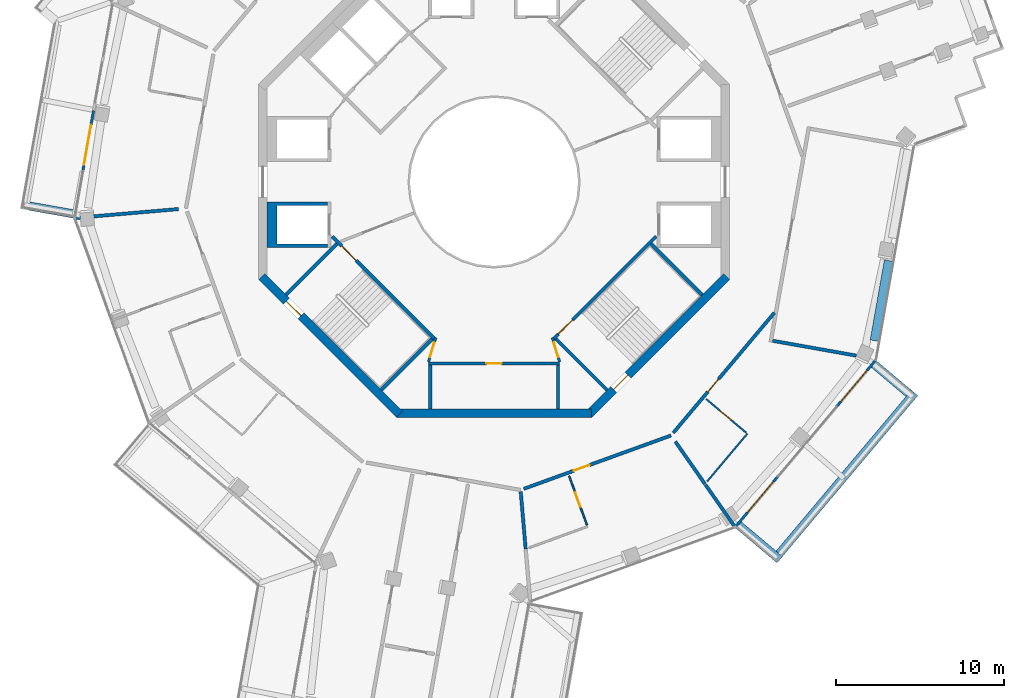
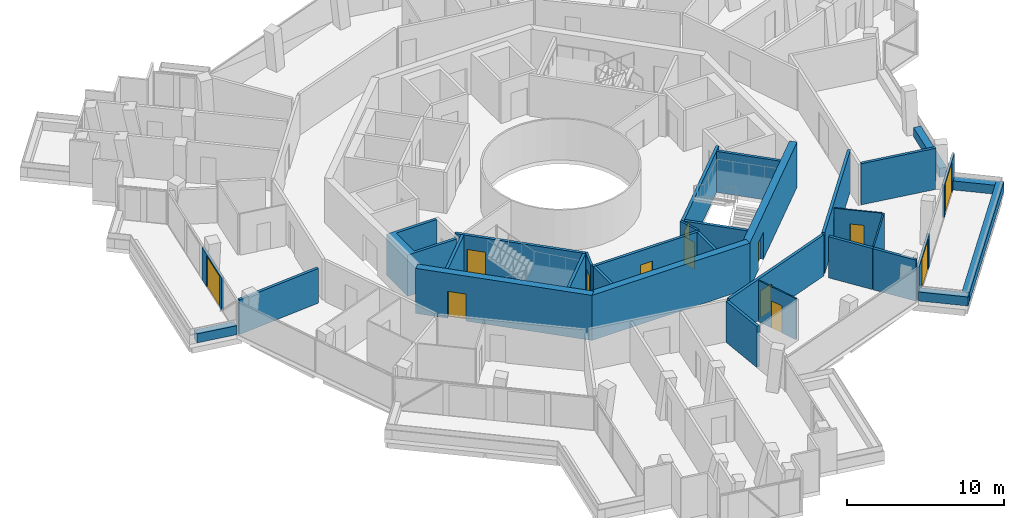
# One storey, part 15 of 22: 33 walls, 14 doors, 14 openings.
"""IFC4 building model written with IfcOpenShell, lengths in metres."""

from ifc_helpers import new_model, si_unit, direction, frame, frame_2d, origin, place, context, subcontext, project, spatial, polyline, rectangle, outline, extrude, material, layer, layer_set, type_object, element, fill, save


model = new_model("IFC4")

# Units and contexts
model_context = context("Model", 3, precision=1e-05, world=origin(), true_north=direction((0.0, 1.0)))
body_context = subcontext(model_context, "Body", "Model", "MODEL_VIEW")
ifc_project = project(units=[si_unit("LENGTHUNIT", "METRE"), si_unit("AREAUNIT", "SQUARE_METRE"), si_unit("VOLUMEUNIT", "CUBIC_METRE"), si_unit("PLANEANGLEUNIT", "RADIAN"), si_unit("MASSUNIT", "GRAM", prefix="KILO")], contexts=[model_context])

# Site, building, storey
site_placement = place(None, origin())
site = spatial("IfcSite", under=ifc_project, at=site_placement, CompositionType="ELEMENT")
building_placement = place(site_placement, origin())
building = spatial("IfcBuilding", under=site, at=building_placement, Name="Verdalira Terraces Hotel", CompositionType="ELEMENT")
storey_placement = place(building_placement, frame((0.0, 0.0, 237.5)))
storey = spatial("IfcBuildingStorey", under=building, at=storey_placement, Name="L58", CompositionType="ELEMENT", Elevation=237.5)

# Walls
ifc_material_1 = material(Name="Concrete C40", Category="concrete")
ifc_layer_1 = layer(ifc_material_1, 0.5)
ifc_layer_set_1 = layer_set([ifc_layer_1], Name="Balcony planter trough with tree")
wall_type_1 = type_object("IfcWallType", Name="Balcony planter trough with tree", PredefinedType="SOLIDWALL", material=ifc_layer_set_1)
wall_1_placement = place(storey_placement, frame((-27.635986, -1.435303, 0.0), z_axis=(0.0, 0.0, 1.0), x_axis=(0.984577054, -0.174951491, 0.0)))
element("IfcWall", 1, at=wall_1_placement, inside=storey, type_object=wall_type_1, Name="Balcony planter", PredefinedType="SOLIDWALL", context=body_context, shape_type="SweptSolid", body=[
    extrude(rectangle(XDim=2.69873, YDim=0.5, at=frame_2d((1.349365, 0.0))), origin(), (0.0, 0.0, 1.0), 0.699951),
])
wall_2_placement = place(storey_placement, frame((14.537842, -20.401611, 0.0), z_axis=(0.0, 0.0, 1.0), x_axis=(0.765134779, -0.64387015, 0.0)))
element("IfcWall", 2, at=wall_2_placement, inside=storey, type_object=wall_type_1, Name="Balcony planter", PredefinedType="SOLIDWALL", context=body_context, shape_type="SweptSolid", body=[
    extrude(rectangle(XDim=3.199219, YDim=0.5, at=frame_2d((1.599609, 0.0))), origin(), (0.0, 0.0, 1.0), 0.699951),
])
wall_3_placement = place(storey_placement, frame((16.955322, -22.109131, 0.0), z_axis=(0.0, 0.0, 1.0), x_axis=(0.643856026, 0.765146665, 0.0)))
element("IfcWall", 3, at=wall_3_placement, inside=storey, type_object=wall_type_1, Name="Balcony planter", PredefinedType="SOLIDWALL", context=body_context, shape_type="SweptSolid", body=[
    extrude(rectangle(XDim=12.499756, YDim=0.5, at=frame_2d((6.25, 0.0))), origin(), (0.0, 0.0, 1.0), 0.699951),
])
wall_4_placement = place(storey_placement, frame((24.651123, -12.575195, 0.0), z_axis=(0.0, 0.0, 1.0), x_axis=(-0.765150401, 0.643851585, 0.0)))
element("IfcWall", 4, at=wall_4_placement, inside=storey, type_object=wall_type_1, Name="Balcony planter", PredefinedType="SOLIDWALL", context=body_context, shape_type="SweptSolid", body=[
    extrude(rectangle(XDim=2.698975, YDim=0.5, at=frame_2d((1.349609, 0.0))), origin(), (0.0, 0.0, 1.0), 0.699951),
])

# Wall, opening, door
ifc_material_2 = material(Name="Moisture-resistant gypsum board partition")
ifc_layer_2 = layer(ifc_material_2, 0.10009765625)
ifc_layer_set_2 = layer_set([ifc_layer_2], Name="Bathroom partition 100 mm")
wall_type_2 = type_object("IfcWallType", Name="Bathroom partition 100 mm", PredefinedType="PARTITIONING", material=ifc_layer_set_2)
wall_5_placement = place(storey_placement, frame((5.521484, -20.397461, 0.0), z_axis=(0.0, 0.0, 1.0), x_axis=(-0.340693169, 0.940174539, 0.0)))
wall_5 = element("IfcWall", 5, at=wall_5_placement, inside=storey, type_object=wall_type_2, Name="Bathroom partition", PredefinedType="PARTITIONING", context=body_context, shape_type="SweptSolid", body=[
    extrude(rectangle(XDim=3.100098, YDim=0.100098, at=frame_2d((1.550049, 0.0))), origin(), (0.0, 0.0, 1.0), 3.189941),
])
opening_1_placement = place(wall_5_placement, frame((1.149902, 0.0, 0.0)))
opening_1 = element("IfcOpeningElement", 6, at=opening_1_placement, cuts=wall_5, Name="Opening L58-116", PredefinedType="OPENING", context=body_context, shape_type="SweptSolid", body=[
    extrude(rectangle(XDim=0.899902, YDim=2.100098, at=frame_2d((0.449951, 1.050049))), frame((0.0, 0.060059, 0.0), z_axis=(0.0, -1.0, 0.0), x_axis=(1.0, 0.0, 0.0)), (0.0, 0.0, 1.0), 0.120117),
])
ifc_material_3 = material(Name="Timber door", Category="wood")
door_type_1 = type_object("IfcDoorType", Name="Bathroom door 900 x 2100", OperationType="NOTDEFINED", PredefinedType="DOOR", material=ifc_material_3)
door_1_placement = place(opening_1_placement, origin())
door_1 = element("IfcDoor", 7, at=door_1_placement, inside=storey, type_object=door_type_1, Name="Bathroom door 5806", OperationType="SINGLE_SWING_LEFT", OverallHeight=2.10009765625, OverallWidth=0.89990234375, PredefinedType="DOOR", context=body_context, shape_type="SweptSolid", body=[
    extrude(rectangle(XDim=0.899902, YDim=2.100098, at=frame_2d((0.449951, 1.050049))), frame((0.0, 0.024902, 0.0), z_axis=(0.0, -1.0, 0.0), x_axis=(1.0, 0.0, 0.0)), (0.0, 0.0, 1.0), 0.050049),
])
fill(opening_1, door_1)

wall_6_placement = place(storey_placement, frame((14.980713, -14.903809, 0.0), z_axis=(0.0, 0.0, 1.0), x_axis=(-0.765178668, 0.643817992, 0.0)))
wall_6 = element("IfcWall", 8, at=wall_6_placement, inside=storey, type_object=wall_type_2, Name="Bathroom partition", PredefinedType="PARTITIONING", context=body_context, shape_type="SweptSolid", body=[
    extrude(rectangle(XDim=3.100098, YDim=0.100098, at=frame_2d((1.550049, 0.0))), origin(), (0.0, 0.0, 1.0), 3.189941),
])
opening_2_placement = place(wall_6_placement, frame((1.149902, 0.0, 0.0)))
opening_2 = element("IfcOpeningElement", 9, at=opening_2_placement, cuts=wall_6, Name="Opening L58-118", PredefinedType="OPENING", context=body_context, shape_type="SweptSolid", body=[
    extrude(rectangle(XDim=0.899902, YDim=2.100098, at=frame_2d((0.449951, 1.050049))), frame((0.0, 0.060059, 0.0), z_axis=(0.0, -1.0, 0.0), x_axis=(1.0, 0.0, 0.0)), (0.0, 0.0, 1.0), 0.120117),
])
door_2_placement = place(opening_2_placement, origin())
door_2 = element("IfcDoor", 10, at=door_2_placement, inside=storey, type_object=door_type_1, Name="Bathroom door 5807", OperationType="SINGLE_SWING_LEFT", OverallHeight=2.10009765625, OverallWidth=0.89990234375, PredefinedType="DOOR", context=body_context, shape_type="SweptSolid", body=[
    extrude(rectangle(XDim=0.899902, YDim=2.100098, at=frame_2d((0.449951, 1.050049))), frame((0.0, 0.024902, 0.0), z_axis=(0.0, -1.0, 0.0), x_axis=(1.0, 0.0, 0.0)), (0.0, 0.0, 1.0), 0.050049),
])
fill(opening_2, door_2)

# Walls
wall_7_placement = place(storey_placement, frame((15.057129, -14.968262, 0.0), z_axis=(0.0, 0.0, 1.0), x_axis=(-0.643827179, -0.765170938, 0.0)))
element("IfcWall", 11, at=wall_7_placement, inside=storey, type_object=wall_type_2, Name="Bathroom partition", PredefinedType="PARTITIONING", context=body_context, shape_type="SweptSolid", body=[
    extrude(rectangle(XDim=3.704102, YDim=0.100098, at=frame_2d((1.852051, 0.0))), origin(), (0.0, 0.0, 1.0), 3.189941),
])
ifc_material_4 = material(Name="Concrete C50", Category="concrete")
ifc_layer_3 = layer(ifc_material_4, 0.199951171875)
ifc_layer_set_3 = layer_set([ifc_layer_3], Name="Core RC wall 200 C50")
wall_type_3 = type_object("IfcWallType", Name="Core RC wall 200 C50", PredefinedType="SOLIDWALL", material=ifc_layer_set_3)
wall_8_placement = place(storey_placement, origin())
element("IfcWall", 12, at=wall_8_placement, inside=storey, type_object=wall_type_3, Name="L58 shaft wall W2", PredefinedType="SOLIDWALL", context=body_context, shape_type="SweptSolid", body=[
    extrude(outline(polyline([(-13.5, -3.899902), (-13.5, -1.199951), (-9.899902, -1.199951), (-9.899902, -1.399902), (-12.899902, -1.399902), (-12.899902, -3.699951), (-9.899902, -3.699951), (-9.899902, -3.899902), (-13.5, -3.899902)])), origin(), (0.0, 0.0, 1.0), 3.189941),
])

# Wall, opening, door
wall_9_placement = place(storey_placement, frame((-3.899902, -10.800049, 0.0), z_axis=(0.0, 0.0, 1.0), x_axis=(1.0, 0.0, 0.0)))
wall_9 = element("IfcWall", 13, at=wall_9_placement, inside=storey, type_object=wall_type_3, Name="L58 store front wall", PredefinedType="SOLIDWALL", context=body_context, shape_type="SweptSolid", body=[
    extrude(rectangle(XDim=7.799805, YDim=0.199951, at=frame_2d((3.899902, 0.0))), origin(), (0.0, 0.0, 1.0), 3.189941),
])
opening_3_placement = place(wall_9_placement, frame((3.449951, 0.0, 0.0)))
opening_3 = element("IfcOpeningElement", 14, at=opening_3_placement, cuts=wall_9, Name="Opening L58-801", PredefinedType="OPENING", context=body_context, shape_type="SweptSolid", body=[
    extrude(rectangle(XDim=0.899902, YDim=2.100098, at=frame_2d((0.449951, 1.050049))), frame((0.0, 0.109863, 0.0), z_axis=(0.0, -1.0, 0.0), x_axis=(1.0, 0.0, 0.0)), (0.0, 0.0, 1.0), 0.219971),
])
ifc_material_5 = material(Name="Steel fire door", Category="steel")
door_type_2 = type_object("IfcDoorType", Name="Core room door 900 x 2100", OperationType="NOTDEFINED", PredefinedType="DOOR", material=ifc_material_5)
door_3_placement = place(opening_3_placement, origin())
door_3 = element("IfcDoor", 15, at=door_3_placement, inside=storey, type_object=door_type_2, Name="Store door L58 SS", OperationType="SINGLE_SWING_LEFT", OverallHeight=2.10009765625, OverallWidth=0.89990234375, PredefinedType="DOOR", context=body_context, shape_type="SweptSolid", body=[
    extrude(rectangle(XDim=0.899902, YDim=2.100098, at=frame_2d((0.449951, 1.050049))), frame((0.0, 0.024902, 0.0), z_axis=(0.0, -1.0, 0.0), x_axis=(1.0, 0.0, 0.0)), (0.0, 0.0, 1.0), 0.050049),
])
fill(opening_3, door_3)

# Walls
for number, where, z_axis, x_axis, name in (
    (16, (-3.800049, -10.899902, 0.0), (0.0, 0.0, 1.0), (0.0, -1.0, 0.0), "L58 store side wall"),
    (17, (3.800049, -10.899902, 0.0), (0.0, 0.0, 1.0), (0.0, -1.0, 0.0), "L58 store side wall"),
):
    element("IfcWall", number, at=place(storey_placement, frame(where, z_axis=z_axis, x_axis=x_axis)), inside=storey, type_object=wall_type_3, Name=name, PredefinedType="SOLIDWALL", context=body_context, shape_type="SweptSolid", body=[
        extrude(rectangle(XDim=2.600098, YDim=0.199951, at=frame_2d((1.300049, 0.0))), origin(), (0.0, 0.0, 1.0), 3.189941),
    ])

# Wall, opening, door
wall_10_placement = place(storey_placement, frame((-3.5354, -9.33374, 0.0), z_axis=(0.0, 0.0, 1.0), x_axis=(-0.707120946, 0.707092617, 0.0)))
wall_10 = element("IfcWall", 18, at=wall_10_placement, inside=storey, type_object=wall_type_3, Name="L58 stair ST2 front wall", PredefinedType="SOLIDWALL", context=body_context, shape_type="SweptSolid", body=[
    extrude(rectangle(XDim=8.61792, YDim=0.199951, at=frame_2d((4.309082, 0.0))), origin(), (0.0, 0.0, 1.0), 3.189941),
])
opening_4_placement = place(wall_10_placement, frame((6.600098, 0.0, 0.0)))
opening_4 = element("IfcOpeningElement", 19, at=opening_4_placement, cuts=wall_10, Name="Opening L58-811", PredefinedType="OPENING", context=body_context, shape_type="SweptSolid", body=[
    extrude(rectangle(XDim=1.199951, YDim=2.100098, at=frame_2d((0.600098, 1.050049))), frame((0.0, 0.109863, 0.0), z_axis=(0.0, -1.0, 0.0), x_axis=(1.0, 0.0, 0.0)), (0.0, 0.0, 1.0), 0.219971),
])
ifc_material_6 = material(Name="Steel fire door", Category="steel")
door_type_3 = type_object("IfcDoorType", Name="Stair door 1200 x 2100", OperationType="NOTDEFINED", PredefinedType="DOOR", material=ifc_material_6)
door_4_placement = place(opening_4_placement, origin())
door_4 = element("IfcDoor", 20, at=door_4_placement, inside=storey, type_object=door_type_3, Name="Stair door ST2 L58", OperationType="SINGLE_SWING_RIGHT", OverallHeight=2.10009765625, OverallWidth=1.199951171875, PredefinedType="DOOR", context=body_context, shape_type="SweptSolid", body=[
    extrude(rectangle(XDim=1.199951, YDim=2.100098, at=frame_2d((0.600098, 1.050049))), frame((0.0, 0.024902, 0.0), z_axis=(0.0, -1.0, 0.0), x_axis=(1.0, 0.0, 0.0)), (0.0, 0.0, 1.0), 0.050049),
])
fill(opening_4, door_4)

# Walls
for number, where, z_axis, x_axis, name in (
    (21, (-9.33374, -3.677002, 0.0), (0.0, 0.0, 1.0), (-0.707135168, -0.707078393, 0.0), "L58 stair ST2 end wall 1"),
    (22, (-3.677002, -9.33374, 0.0), (0.0, 0.0, 1.0), (-0.707078393, -0.707135168, 0.0), "L58 stair ST2 end wall 2"),
):
    element("IfcWall", number, at=place(storey_placement, frame(where, z_axis=z_axis, x_axis=x_axis)), inside=storey, type_object=wall_type_3, Name=name, PredefinedType="SOLIDWALL", context=body_context, shape_type="SweptSolid", body=[
        extrude(rectangle(XDim=4.300049, YDim=0.199951, at=frame_2d((2.149902, 0.0))), origin(), (0.0, 0.0, 1.0), 3.189941),
    ])

# Wall, opening, door
wall_11_placement = place(storey_placement, frame((9.629395, -3.23999, 0.0), z_axis=(0.0, 0.0, 1.0), x_axis=(-0.707120946, -0.707092617, 0.0)))
wall_11 = element("IfcWall", 23, at=wall_11_placement, inside=storey, type_object=wall_type_3, Name="L58 stair ST3 front wall", PredefinedType="SOLIDWALL", context=body_context, shape_type="SweptSolid", body=[
    extrude(rectangle(XDim=8.61792, YDim=0.199951, at=frame_2d((4.309082, 0.0))), origin(), (0.0, 0.0, 1.0), 3.189941),
])
opening_5_placement = place(wall_11_placement, frame((7.017822, 0.0, 0.0)))
opening_5 = element("IfcOpeningElement", 24, at=opening_5_placement, cuts=wall_11, Name="Opening L58-812", PredefinedType="OPENING", context=body_context, shape_type="SweptSolid", body=[
    extrude(rectangle(XDim=1.199951, YDim=2.100098, at=frame_2d((0.600098, 1.050049))), frame((0.0, 0.109863, 0.0), z_axis=(0.0, -1.0, 0.0), x_axis=(1.0, 0.0, 0.0)), (0.0, 0.0, 1.0), 0.219971),
])
door_5_placement = place(opening_5_placement, origin())
door_5 = element("IfcDoor", 25, at=door_5_placement, inside=storey, type_object=door_type_3, Name="Stair door ST3 L58", OperationType="SINGLE_SWING_RIGHT", OverallHeight=2.10009765625, OverallWidth=1.199951171875, PredefinedType="DOOR", context=body_context, shape_type="SweptSolid", body=[
    extrude(rectangle(XDim=1.199951, YDim=2.100098, at=frame_2d((0.600098, 1.050049))), frame((0.0, 0.024902, 0.0), z_axis=(0.0, -1.0, 0.0), x_axis=(1.0, 0.0, 0.0)), (0.0, 0.0, 1.0), 0.050049),
])
fill(opening_5, door_5)

# Walls
for number, where, z_axis, x_axis, name in (
    (26, (3.677002, -9.33374, 0.0), (0.0, 0.0, 1.0), (0.707078393, -0.707135168, 0.0), "L58 stair ST3 end wall 1"),
    (27, (9.33374, -3.677002, 0.0), (0.0, 0.0, 1.0), (0.707135168, -0.707078393, 0.0), "L58 stair ST3 end wall 2"),
):
    element("IfcWall", number, at=place(storey_placement, frame(where, z_axis=z_axis, x_axis=x_axis)), inside=storey, type_object=wall_type_3, Name=name, PredefinedType="SOLIDWALL", context=body_context, shape_type="SweptSolid", body=[
        extrude(rectangle(XDim=4.300049, YDim=0.199951, at=frame_2d((2.149902, 0.0))), origin(), (0.0, 0.0, 1.0), 3.189941),
    ])

# Wall, opening, door
ifc_material_7 = material(Name="Gypsum board partition")
ifc_layer_4 = layer(ifc_material_7, 0.14990234375)
ifc_layer_set_4 = layer_set([ifc_layer_4], Name="Core partition 150 mm")
wall_type_4 = type_object("IfcWallType", Name="Core partition 150 mm", PredefinedType="PARTITIONING", material=ifc_layer_set_4)
wall_12_placement = place(storey_placement, frame((-3.464844, -9.263184, 0.0), z_axis=(0.0, 0.0, 1.0), x_axis=(-0.289808785, -0.957084567, 0.0)))
wall_12 = element("IfcWall", 28, at=wall_12_placement, inside=storey, type_object=wall_type_4, Name="Room partition L58", PredefinedType="PARTITIONING", context=body_context, shape_type="SweptSolid", body=[
    extrude(rectangle(XDim=1.501221, YDim=0.149902, at=frame_2d((0.750488, 0.0))), origin(), (0.0, 0.0, 1.0), 3.189941),
])
opening_6_placement = place(wall_12_placement, frame((0.300781, 0.0, 0.0)))
opening_6 = element("IfcOpeningElement", 29, at=opening_6_placement, cuts=wall_12, Name="Opening L58-822", PredefinedType="OPENING", context=body_context, shape_type="SweptSolid", body=[
    extrude(rectangle(XDim=0.899902, YDim=2.100098, at=frame_2d((0.449951, 1.050049))), frame((0.0, 0.084961, 0.0), z_axis=(0.0, -1.0, 0.0), x_axis=(1.0, 0.0, 0.0)), (0.0, 0.0, 1.0), 0.169922),
])
door_6_placement = place(opening_6_placement, origin())
door_6 = element("IfcDoor", 30, at=door_6_placement, inside=storey, type_object=door_type_2, Name="Door L58 room5", OperationType="SINGLE_SWING_LEFT", OverallHeight=2.10009765625, OverallWidth=0.89990234375, PredefinedType="DOOR", context=body_context, shape_type="SweptSolid", body=[
    extrude(rectangle(XDim=0.899902, YDim=2.100098, at=frame_2d((0.449951, 1.050049))), frame((0.0, 0.024902, 0.0), z_axis=(0.0, -1.0, 0.0), x_axis=(1.0, 0.0, 0.0)), (0.0, 0.0, 1.0), 0.050049),
])
fill(opening_6, door_6)

wall_13_placement = place(storey_placement, frame((3.899902, -10.699951, 0.0), z_axis=(0.0, 0.0, 1.0), x_axis=(-0.289808785, 0.957084567, 0.0)))
wall_13 = element("IfcWall", 31, at=wall_13_placement, inside=storey, type_object=wall_type_4, Name="Room partition L58", PredefinedType="PARTITIONING", context=body_context, shape_type="SweptSolid", body=[
    extrude(rectangle(XDim=1.501221, YDim=0.149902, at=frame_2d((0.750488, 0.0))), origin(), (0.0, 0.0, 1.0), 3.189941),
])
opening_7_placement = place(wall_13_placement, frame((0.300781, 0.0, 0.0)))
opening_7 = element("IfcOpeningElement", 32, at=opening_7_placement, cuts=wall_13, Name="Opening L58-823", PredefinedType="OPENING", context=body_context, shape_type="SweptSolid", body=[
    extrude(rectangle(XDim=0.899902, YDim=2.100098, at=frame_2d((0.449951, 1.050049))), frame((0.0, 0.084961, 0.0), z_axis=(0.0, -1.0, 0.0), x_axis=(1.0, 0.0, 0.0)), (0.0, 0.0, 1.0), 0.169922),
])
door_7_placement = place(opening_7_placement, origin())
door_7 = element("IfcDoor", 33, at=door_7_placement, inside=storey, type_object=door_type_2, Name="Door L58 room6", OperationType="SINGLE_SWING_LEFT", OverallHeight=2.10009765625, OverallWidth=0.89990234375, PredefinedType="DOOR", context=body_context, shape_type="SweptSolid", body=[
    extrude(rectangle(XDim=0.899902, YDim=2.100098, at=frame_2d((0.449951, 1.050049))), frame((0.0, 0.024902, 0.0), z_axis=(0.0, -1.0, 0.0), x_axis=(1.0, 0.0, 0.0)), (0.0, 0.0, 1.0), 0.050049),
])
fill(opening_7, door_7)

ifc_material_8 = material(Name="Concrete C50", Category="concrete")
ifc_layer_5 = layer(ifc_material_8, 0.5)
ifc_layer_set_5 = layer_set([ifc_layer_5], Name="Core wall 500 C50")
wall_type_5 = type_object("IfcWallType", Name="Core wall 500 C50", PredefinedType="SHEAR", material=ifc_layer_set_5)
wall_14_placement = place(storey_placement, frame((-13.823242, -5.622314, 0.0), z_axis=(0.0, 0.0, 1.0), x_axis=(0.707106781, -0.707106781, 0.0)))
wall_14 = element("IfcWall", 34, at=wall_14_placement, inside=storey, type_object=wall_type_5, Name="Core wall CW-L58-6", PredefinedType="SHEAR", context=body_context, shape_type="SweptSolid", body=[
    extrude(rectangle(XDim=11.5979, YDim=0.5, at=frame_2d((5.798828, 0.0))), origin(), (0.0, 0.0, 1.0), 3.5),
])
opening_8_placement = place(wall_14_placement, frame((2.099121, 0.0, 0.0)))
opening_8 = element("IfcOpeningElement", 35, at=opening_8_placement, cuts=wall_14, Name="Opening L58-817", PredefinedType="OPENING", context=body_context, shape_type="SweptSolid", body=[
    extrude(rectangle(XDim=1.199951, YDim=2.100098, at=frame_2d((0.600098, 1.050049))), frame((0.0, 0.26001, 0.0), z_axis=(0.0, -1.0, 0.0), x_axis=(1.0, 0.0, 0.0)), (0.0, 0.0, 1.0), 0.52002),
])
door_8_placement = place(opening_8_placement, origin())
door_8 = element("IfcDoor", 36, at=door_8_placement, inside=storey, type_object=door_type_3, Name="Stair exit door ST2 L58", OperationType="SINGLE_SWING_LEFT", OverallHeight=2.10009765625, OverallWidth=1.199951171875, PredefinedType="DOOR", context=body_context, shape_type="SweptSolid", body=[
    extrude(rectangle(XDim=1.199951, YDim=2.100098, at=frame_2d((0.600098, 1.050049))), frame((0.0, 0.024902, 0.0), z_axis=(0.0, -1.0, 0.0), x_axis=(1.0, 0.0, 0.0)), (0.0, 0.0, 1.0), 0.050049),
])
fill(opening_8, door_8)

# Wall
wall_15_placement = place(storey_placement, frame((-5.799072, -13.75, 0.0), z_axis=(0.0, 0.0, 1.0), x_axis=(1.0, 0.0, 0.0)))
element("IfcWall", 37, at=wall_15_placement, inside=storey, type_object=wall_type_5, Name="Core wall CW-L58-7", PredefinedType="SHEAR", context=body_context, shape_type="SweptSolid", body=[
    extrude(rectangle(XDim=11.598145, YDim=0.5, at=frame_2d((5.799072, 0.0))), origin(), (0.0, 0.0, 1.0), 3.5),
])

# Wall, opening, door
wall_16_placement = place(storey_placement, frame((5.622314, -13.823242, 0.0), z_axis=(0.0, 0.0, 1.0), x_axis=(0.707106781, 0.707106781, 0.0)))
wall_16 = element("IfcWall", 38, at=wall_16_placement, inside=storey, type_object=wall_type_5, Name="Core wall CW-L58-8", PredefinedType="SHEAR", context=body_context, shape_type="SweptSolid", body=[
    extrude(rectangle(XDim=11.5979, YDim=0.5, at=frame_2d((5.798828, 0.0))), origin(), (0.0, 0.0, 1.0), 3.5),
])
opening_9_placement = place(wall_16_placement, frame((2.099121, 0.0, 0.0)))
opening_9 = element("IfcOpeningElement", 39, at=opening_9_placement, cuts=wall_16, Name="Opening L58-818", PredefinedType="OPENING", context=body_context, shape_type="SweptSolid", body=[
    extrude(rectangle(XDim=1.199951, YDim=2.100098, at=frame_2d((0.600098, 1.050049))), frame((0.0, 0.26001, 0.0), z_axis=(0.0, -1.0, 0.0), x_axis=(1.0, 0.0, 0.0)), (0.0, 0.0, 1.0), 0.52002),
])
door_9_placement = place(opening_9_placement, origin())
door_9 = element("IfcDoor", 40, at=door_9_placement, inside=storey, type_object=door_type_3, Name="Stair exit door ST3 L58", OperationType="SINGLE_SWING_LEFT", OverallHeight=2.10009765625, OverallWidth=1.199951171875, PredefinedType="DOOR", context=body_context, shape_type="SweptSolid", body=[
    extrude(rectangle(XDim=1.199951, YDim=2.100098, at=frame_2d((0.600098, 1.050049))), frame((0.0, 0.024902, 0.0), z_axis=(0.0, -1.0, 0.0), x_axis=(1.0, 0.0, 0.0)), (0.0, 0.0, 1.0), 0.050049),
])
fill(opening_9, door_9)

# Walls
ifc_material_9 = material(Name="Fire-rated gypsum board wall")
ifc_layer_6 = layer(ifc_material_9, 0.199951171875)
ifc_layer_set_6 = layer_set([ifc_layer_6], Name="Demising wall 200 mm")
wall_type_6 = type_object("IfcWallType", Name="Demising wall 200 mm", PredefinedType="SOLIDWALL", material=ifc_layer_set_6)
wall_17_placement = place(storey_placement, frame((1.585693, -18.420166, 0.0), z_axis=(0.0, 0.0, 1.0), x_axis=(0.08577589, -0.996314457, 0.0)))
element("IfcWall", 41, at=wall_17_placement, inside=storey, type_object=wall_type_6, Name="Demising wall", PredefinedType="SOLIDWALL", context=body_context, shape_type="SweptSolid", body=[
    extrude(rectangle(XDim=3.418457, YDim=0.199951, at=frame_2d((1.709229, 0.0))), origin(), (0.0, 0.0, 1.0), 3.189941),
])
wall_18_placement = place(storey_placement, frame((10.780029, -15.441406, 0.0), z_axis=(0.0, 0.0, 1.0), x_axis=(0.572438677, -0.819947535, 0.0)))
element("IfcWall", 42, at=wall_18_placement, inside=storey, type_object=wall_type_6, Name="Demising wall", PredefinedType="SOLIDWALL", context=body_context, shape_type="SweptSolid", body=[
    extrude(rectangle(XDim=3.074463, YDim=0.199951, at=frame_2d((1.537109, 0.0))), origin(), (0.0, 0.0, 1.0), 3.189941),
])
wall_19_placement = place(storey_placement, frame((12.566406, -18.0, 0.0), z_axis=(0.0, 0.0, 1.0), x_axis=(0.572438994, -0.819947314, 0.0)))
element("IfcWall", 43, at=wall_19_placement, inside=storey, type_object=wall_type_6, Name="Demising wall", PredefinedType="SOLIDWALL", context=body_context, shape_type="SweptSolid", body=[
    extrude(rectangle(XDim=3.011475, YDim=0.199951, at=frame_2d((1.505859, 0.0))), origin(), (0.0, 0.0, 1.0), 3.189941),
])
ifc_material_10 = material(Name="Fire-rated gypsum board wall")
ifc_layer_7 = layer(ifc_material_10, 0.199951171875)
ifc_layer_set_7 = layer_set([ifc_layer_7], Name="Demising wall 200 mm to beam soffit")
wall_type_7 = type_object("IfcWallType", Name="Demising wall 200 mm to beam soffit", PredefinedType="SOLIDWALL", material=ifc_layer_set_7)
wall_20_placement = place(storey_placement, frame((-18.762695, -1.61499, 0.0), z_axis=(0.0, 0.0, 1.0), x_axis=(-0.996312401, -0.085799761, 0.0)))
element("IfcWall", 44, at=wall_20_placement, inside=storey, type_object=wall_type_7, Name="Demising wall", PredefinedType="SOLIDWALL", context=body_context, shape_type="SweptSolid", body=[
    extrude(rectangle(XDim=6.13208, YDim=0.199951, at=frame_2d((3.065918, 0.0))), origin(), (0.0, 0.0, 1.0), 2.689941),
])

# Wall, opening, door
ifc_material_11 = material(Name="Fire-rated gypsum board wall")
ifc_layer_8 = layer(ifc_material_11, 0.199951171875)
ifc_layer_set_8 = layer_set([ifc_layer_8], Name="Guest corridor wall 200 mm")
wall_type_8 = type_object("IfcWallType", Name="Guest corridor wall 200 mm", PredefinedType="SOLIDWALL", material=ifc_layer_set_8)
wall_21_placement = place(storey_placement, frame((10.523926, -15.074707, 0.0), z_axis=(0.0, 0.0, 1.0), x_axis=(-0.940173108, -0.34069712, 0.0)))
wall_21 = element("IfcWall", 45, at=wall_21_placement, inside=storey, type_object=wall_type_8, Name="Guest corridor wall", PredefinedType="SOLIDWALL", context=body_context, shape_type="SweptSolid", body=[
    extrude(rectangle(XDim=9.316406, YDim=0.199951, at=frame_2d((4.658203, 0.0))), origin(), (0.0, 0.0, 1.0), 3.189941),
])
opening_10_placement = place(wall_21_placement, frame((5.149902, 0.0, 0.0)))
opening_10 = element("IfcOpeningElement", 46, at=opening_10_placement, cuts=wall_21, Name="Opening L58-115", PredefinedType="OPENING", context=body_context, shape_type="SweptSolid", body=[
    extrude(rectangle(XDim=1.0, YDim=2.100098, at=frame_2d((0.5, 1.050049))), frame((0.0, 0.109863, 0.0), z_axis=(0.0, -1.0, 0.0), x_axis=(1.0, 0.0, 0.0)), (0.0, 0.0, 1.0), 0.219971),
])
ifc_material_12 = material(Name="Timber fire door", Category="wood")
door_type_4 = type_object("IfcDoorType", Name="Guest entry door 1000 x 2100", OperationType="NOTDEFINED", PredefinedType="DOOR", material=ifc_material_12)
door_10_placement = place(opening_10_placement, origin())
door_10 = element("IfcDoor", 47, at=door_10_placement, inside=storey, type_object=door_type_4, Name="Guest entry door 5806", OperationType="SINGLE_SWING_LEFT", OverallHeight=2.10009765625, OverallWidth=1.0, PredefinedType="DOOR", context=body_context, shape_type="SweptSolid", body=[
    extrude(rectangle(XDim=1.0, YDim=2.100098, at=frame_2d((0.5, 1.050049))), frame((0.0, 0.024902, 0.0), z_axis=(0.0, -1.0, 0.0), x_axis=(1.0, 0.0, 0.0)), (0.0, 0.0, 1.0), 0.050049),
])
fill(opening_10, door_10)

wall_22_placement = place(storey_placement, frame((16.664307, -7.777588, 0.0), z_axis=(0.0, 0.0, 1.0), x_axis=(-0.643849849, -0.765151862, 0.0)))
wall_22 = element("IfcWall", 48, at=wall_22_placement, inside=storey, type_object=wall_type_8, Name="Guest corridor wall", PredefinedType="SOLIDWALL", context=body_context, shape_type="SweptSolid", body=[
    extrude(rectangle(XDim=9.33667, YDim=0.199951, at=frame_2d((4.668457, 0.0))), origin(), (0.0, 0.0, 1.0), 3.189941),
])
opening_11_placement = place(wall_22_placement, frame((5.149902, 0.0, 0.0)))
opening_11 = element("IfcOpeningElement", 49, at=opening_11_placement, cuts=wall_22, Name="Opening L58-117", PredefinedType="OPENING", context=body_context, shape_type="SweptSolid", body=[
    extrude(rectangle(XDim=1.0, YDim=2.100098, at=frame_2d((0.5, 1.050049))), frame((0.0, 0.109863, 0.0), z_axis=(0.0, -1.0, 0.0), x_axis=(1.0, 0.0, 0.0)), (0.0, 0.0, 1.0), 0.219971),
])
door_11_placement = place(opening_11_placement, origin())
door_11 = element("IfcDoor", 50, at=door_11_placement, inside=storey, type_object=door_type_4, Name="Guest entry door 5807", OperationType="SINGLE_SWING_LEFT", OverallHeight=2.10009765625, OverallWidth=1.0, PredefinedType="DOOR", context=body_context, shape_type="SweptSolid", body=[
    extrude(rectangle(XDim=1.0, YDim=2.100098, at=frame_2d((0.5, 1.050049))), frame((0.0, 0.024902, 0.0), z_axis=(0.0, -1.0, 0.0), x_axis=(1.0, 0.0, 0.0)), (0.0, 0.0, 1.0), 0.050049),
])
fill(opening_11, door_11)

# Walls
ifc_material_13 = material(Name="Terracotta cladding", Category="masonry")
ifc_layer_9 = layer(ifc_material_13, 0.199951171875)
ifc_layer_set_9 = layer_set([ifc_layer_9], Name="Loggia back wall 200")
wall_type_9 = type_object("IfcWallType", Name="Loggia back wall 200", PredefinedType="SOLIDWALL", material=ifc_layer_set_9)
wall_23_placement = place(storey_placement, frame((21.536621, -10.328857, 0.0), z_axis=(0.0, 0.0, 1.0), x_axis=(-0.984563433, 0.175028131, 0.0)))
element("IfcWall", 51, at=wall_23_placement, inside=storey, type_object=wall_type_9, Name="Loggia side wall", PredefinedType="SOLIDWALL", context=body_context, shape_type="SweptSolid", body=[
    extrude(rectangle(XDim=5.053711, YDim=0.199951, at=frame_2d((2.526855, 0.0))), origin(), (0.0, 0.0, 1.0), 3.189941),
])
ifc_material_14 = material(Name="Concrete C40", Category="concrete")
ifc_layer_10 = layer(ifc_material_14, 0.5)
ifc_layer_set_10 = layer_set([ifc_layer_10], Name="Loggia planter trough with tree")
wall_type_10 = type_object("IfcWallType", Name="Loggia planter trough with tree", PredefinedType="SOLIDWALL", material=ifc_layer_set_10)
wall_24_placement = place(storey_placement, frame((22.605225, -9.438965, 0.0), z_axis=(0.0, 0.0, 1.0), x_axis=(0.174997453, 0.984568886, 0.0)))
element("IfcWall", 52, at=wall_24_placement, inside=storey, type_object=wall_type_10, Name="Loggia planter", PredefinedType="SOLIDWALL", context=body_context, shape_type="SweptSolid", body=[
    extrude(rectangle(XDim=4.836914, YDim=0.5, at=frame_2d((2.418457, 0.0))), origin(), (0.0, 0.0, 1.0), 0.699951),
])

# Wall, opening, door
ifc_material_15 = material(Name="Terracotta cladding", Category="masonry")
ifc_layer_11 = layer(ifc_material_15, 0.14990234375)
ifc_layer_set_11 = layer_set([ifc_layer_11], Name="Terracotta door pier 150")
wall_type_11 = type_object("IfcWallType", Name="Terracotta door pier 150", PredefinedType="SOLIDWALL", material=ifc_layer_set_11)
wall_25_placement = place(storey_placement, frame((-23.810059, 4.232666, 0.0), z_axis=(0.0, 0.0, 1.0), x_axis=(-0.175040517, -0.984561231, 0.0)))
wall_25 = element("IfcWall", 53, at=wall_25_placement, inside=storey, type_object=wall_type_11, Name="Terracotta door pier", PredefinedType="SOLIDWALL", context=body_context, shape_type="SweptSolid", body=[
    extrude(rectangle(XDim=3.661377, YDim=0.149902, at=frame_2d((1.830566, 0.0))), origin(), (0.0, 0.0, 1.0), 2.524902),
])
opening_12_placement = place(wall_25_placement, frame((0.861328, 0.0, 0.0)))
opening_12 = element("IfcOpeningElement", 54, at=opening_12_placement, cuts=wall_25, Name="Opening L58-B05", PredefinedType="OPENING", context=body_context, shape_type="SweptSolid", body=[
    extrude(rectangle(XDim=2.399902, YDim=2.399902, at=frame_2d((1.199951, 1.199951))), frame((0.0, 0.084961, 0.0), z_axis=(0.0, -1.0, 0.0), x_axis=(1.0, 0.0, 0.0)), (0.0, 0.0, 1.0), 0.169922),
])
ifc_material_16 = material(Name="Clear glass", Category="glass")
door_type_5 = type_object("IfcDoorType", Name="Balcony sliding door 2400x2400", OperationType="NOTDEFINED", PredefinedType="DOOR", material=ifc_material_16)
door_12_placement = place(opening_12_placement, origin())
door_12 = element("IfcDoor", 55, at=door_12_placement, inside=storey, type_object=door_type_5, Name="Balcony sliding door", OperationType="SLIDING_TO_LEFT", OverallHeight=2.39990234375, OverallWidth=2.39990234375, PredefinedType="DOOR", context=body_context, shape_type="SweptSolid", body=[
    extrude(rectangle(XDim=2.399902, YDim=2.399902, at=frame_2d((1.199951, 1.199951))), frame((0.0, 0.024902, 0.0), z_axis=(0.0, -1.0, 0.0), x_axis=(1.0, 0.0, 0.0)), (0.0, 0.0, 1.0), 0.050049),
])
fill(opening_12, door_12)

wall_26_placement = place(storey_placement, frame((14.383301, -20.467285, 0.0), z_axis=(0.0, 0.0, 1.0), x_axis=(0.643863246, 0.765140589, 0.0)))
wall_26 = element("IfcWall", 56, at=wall_26_placement, inside=storey, type_object=wall_type_11, Name="Terracotta door pier", PredefinedType="SOLIDWALL", context=body_context, shape_type="SweptSolid", body=[
    extrude(rectangle(XDim=3.863037, YDim=0.149902, at=frame_2d((1.931641, 0.0))), origin(), (0.0, 0.0, 1.0), 2.524902),
])
opening_13_placement = place(wall_26_placement, frame((1.062988, 0.0, 0.0)))
opening_13 = element("IfcOpeningElement", 57, at=opening_13_placement, cuts=wall_26, Name="Opening L58-B10", PredefinedType="OPENING", context=body_context, shape_type="SweptSolid", body=[
    extrude(rectangle(XDim=2.399902, YDim=2.399902, at=frame_2d((1.199951, 1.199951))), frame((0.0, 0.084961, 0.0), z_axis=(0.0, -1.0, 0.0), x_axis=(1.0, 0.0, 0.0)), (0.0, 0.0, 1.0), 0.169922),
])
door_13_placement = place(opening_13_placement, origin())
door_13 = element("IfcDoor", 58, at=door_13_placement, inside=storey, type_object=door_type_5, Name="Balcony sliding door", OperationType="SLIDING_TO_LEFT", OverallHeight=2.39990234375, OverallWidth=2.39990234375, PredefinedType="DOOR", context=body_context, shape_type="SweptSolid", body=[
    extrude(rectangle(XDim=2.399902, YDim=2.399902, at=frame_2d((1.199951, 1.199951))), frame((0.0, 0.024902, 0.0), z_axis=(0.0, -1.0, 0.0), x_axis=(1.0, 0.0, 0.0)), (0.0, 0.0, 1.0), 0.050049),
])
fill(opening_13, door_13)

wall_27_placement = place(storey_placement, frame((20.368164, -13.35498, 0.0), z_axis=(0.0, 0.0, 1.0), x_axis=(0.643849339, 0.765152291, 0.0)))
wall_27 = element("IfcWall", 59, at=wall_27_placement, inside=storey, type_object=wall_type_11, Name="Terracotta door pier", PredefinedType="SOLIDWALL", context=body_context, shape_type="SweptSolid", body=[
    extrude(rectangle(XDim=3.544189, YDim=0.149902, at=frame_2d((1.771973, 0.0))), origin(), (0.0, 0.0, 1.0), 2.524902),
])
opening_14_placement = place(wall_27_placement, frame((0.399902, 0.0, 0.0)))
opening_14 = element("IfcOpeningElement", 60, at=opening_14_placement, cuts=wall_27, Name="Opening L58-B11", PredefinedType="OPENING", context=body_context, shape_type="SweptSolid", body=[
    extrude(rectangle(XDim=2.399902, YDim=2.399902, at=frame_2d((1.199951, 1.199951))), frame((0.0, 0.084961, 0.0), z_axis=(0.0, -1.0, 0.0), x_axis=(1.0, 0.0, 0.0)), (0.0, 0.0, 1.0), 0.169922),
])
door_14_placement = place(opening_14_placement, origin())
door_14 = element("IfcDoor", 61, at=door_14_placement, inside=storey, type_object=door_type_5, Name="Balcony sliding door", OperationType="SLIDING_TO_RIGHT", OverallHeight=2.39990234375, OverallWidth=2.39990234375, PredefinedType="DOOR", context=body_context, shape_type="SweptSolid", body=[
    extrude(rectangle(XDim=2.399902, YDim=2.399902, at=frame_2d((1.199951, 1.199951))), frame((0.0, 0.024902, 0.0), z_axis=(0.0, -1.0, 0.0), x_axis=(1.0, 0.0, 0.0)), (0.0, 0.0, 1.0), 0.050049),
])
fill(opening_14, door_14)

save(model, "model.ifc")
